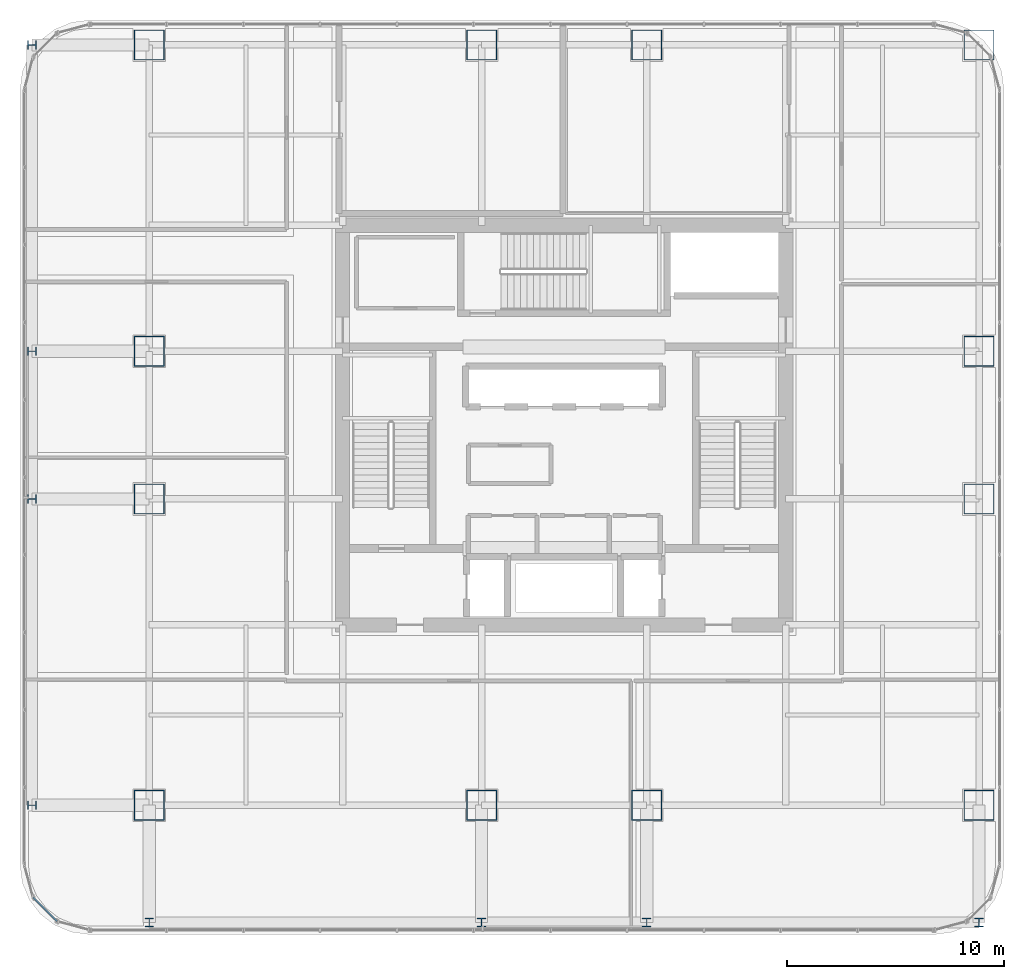
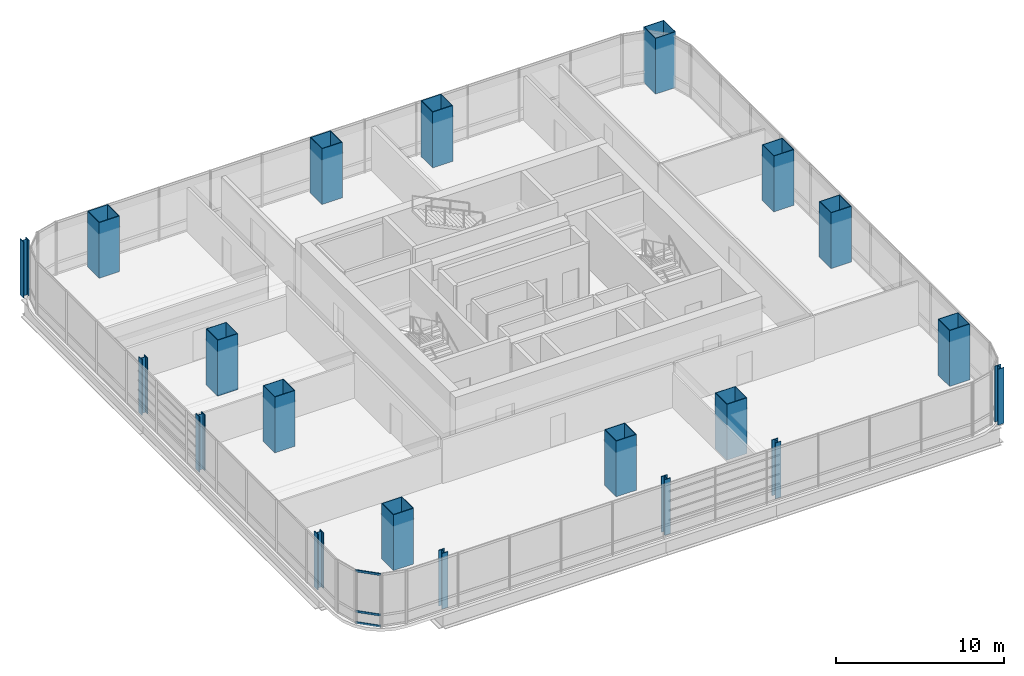
# One storey, part 1 of 36: 20 columns, 3 members, 1 element without a shape of its own.
"""IFC4 building model written with IfcOpenShell, lengths in metres."""

from ifc_helpers import new_model, si_unit, direction, frame, origin, origin_2d, place, context, subcontext, project, spatial, hollow_rectangle, i_section, extrude, material, material_profile, profile_set, type_object, element, aggregate, save


model = new_model("IFC4")

# Units and contexts
model_context = context("Model", 3, precision=1e-05, world=origin(), true_north=direction((0.0, 1.0)))
body_context = subcontext(model_context, "Body", "Model", "MODEL_VIEW")
ifc_project = project(units=[si_unit("LENGTHUNIT", "METRE"), si_unit("AREAUNIT", "SQUARE_METRE"), si_unit("VOLUMEUNIT", "CUBIC_METRE"), si_unit("PLANEANGLEUNIT", "RADIAN"), si_unit("MASSUNIT", "GRAM", prefix="KILO")], contexts=[model_context])

# Site, building, storey
site_placement = place(None, origin())
site = spatial("IfcSite", under=ifc_project, at=site_placement, CompositionType="ELEMENT")
building_placement = place(site_placement, origin())
building = spatial("IfcBuilding", under=site, at=building_placement, Name="Punatoya Terracotta Tower", CompositionType="ELEMENT")
storey_placement = place(building_placement, frame((0.0, 0.0, 180.300048828125)))
storey = spatial("IfcBuildingStorey", under=building, at=storey_placement, Name="L42", CompositionType="ELEMENT", Elevation=180.300048828125)

# Columns
ifc_material_1 = material(Name="Steel S460", Category="steel")
ifc_material_profile_1 = material_profile(ifc_material_1, i_section(OverallWidth=0.408935546875, OverallDepth=0.425048828125, WebThickness=0.031982421875, FlangeThickness=0.052001953125, FilletRadius=0.01806640625, at=origin_2d()))
ifc_profile_set_1 = profile_set([ifc_material_profile_1], Name="Steel S460")
column_type_1 = type_object("IfcColumnType", Name="COL-EX-M2", PredefinedType="COLUMN", material=ifc_profile_set_1)
for number, where, z_axis, x_axis, name in (
    (1, (-19.10009765625, -22.89990234375, 0.0), (0.0, 0.0, 1.0), (1.0, 0.0, 0.0), "L42 Exoskeleton Perimeter Column S1"),
    (2, (-3.800048828125, -22.89990234375, 0.0), (0.0, 0.0, 1.0), (1.0, 0.0, 0.0), "L42 Exoskeleton Perimeter Column S2"),
    (3, (3.800048828125, -22.89990234375, 0.0), (0.0, 0.0, 1.0), (1.0, 0.0, 0.0), "L42 Exoskeleton Perimeter Column S3"),
    (4, (19.10009765625, -22.89990234375, 0.0), (0.0, 0.0, 1.0), (1.0, 0.0, 0.0), "L42 Exoskeleton Perimeter Column S4"),
    (5, (-24.5, -17.5, 0.0), (0.0, 0.0, 1.0), (0.0, 1.0, 0.0), "L42 Exoskeleton Perimeter Column W1"),
    (6, (-24.5, -3.39990234375, 0.0), (0.0, 0.0, 1.0), (0.0, 1.0, 0.0), "L42 Exoskeleton Perimeter Column W2"),
    (7, (-24.5, 3.39990234375, 0.0), (0.0, 0.0, 1.0), (0.0, 1.0, 0.0), "L42 Exoskeleton Perimeter Column W3"),
    (8, (-24.5, 17.5, 0.0), (0.0, 0.0, 1.0), (0.0, 1.0, 0.0), "L42 Exoskeleton Perimeter Column W4"),
):
    element("IfcColumn", number, at=place(storey_placement, frame(where, z_axis=z_axis, x_axis=x_axis)), inside=storey, type_object=column_type_1, Name=name, PredefinedType="COLUMN", context=body_context, shape_type="SweptSolid", body=[
        extrude(i_section(OverallWidth=0.408935546875, OverallDepth=0.425048828125, WebThickness=0.031982421875, FlangeThickness=0.052001953125, FilletRadius=0.01806640625, at=origin_2d()), origin(), (0.0, 0.0, 1.0), 4.0478515625),
    ])
ifc_material_profile_2 = material_profile(ifc_material_1, hollow_rectangle(XDim=1.39990234375, YDim=1.39990234375, WallThickness=0.0419921875, at=origin_2d()))
ifc_profile_set_2 = profile_set([ifc_material_profile_2], Name="Steel S460")
column_type_2 = type_object("IfcColumnType", Name="COL-MC-Z2", PredefinedType="COLUMN", material=ifc_profile_set_2)
for number, where, z_axis, x_axis, name in (
    (9, (-19.10009765625, -17.5, 0.0), (0.0, 0.0, 1.0), (1.0, 0.0, 0.0), "L42 Composite Mega-Column MC-01 (3-B)"),
    (10, (-3.800048828125, -17.5, 0.0), (0.0, 0.0, 1.0), (1.0, 0.0, 0.0), "L42 Composite Mega-Column MC-02 (5-B)"),
    (11, (3.800048828125, -17.5, 0.0), (0.0, 0.0, 1.0), (1.0, 0.0, 0.0), "L42 Composite Mega-Column MC-03 (7-B)"),
    (12, (19.10009765625, -17.5, 0.0), (0.0, 0.0, 1.0), (1.0, 0.0, 0.0), "L42 Composite Mega-Column MC-04 (9-B)"),
    (13, (19.10009765625, -3.39990234375, 0.0), (0.0, 0.0, 1.0), (1.0, 0.0, 0.0), "L42 Composite Mega-Column MC-05 (9-D)"),
    (14, (19.10009765625, 3.39990234375, 0.0), (0.0, 0.0, 1.0), (1.0, 0.0, 0.0), "L42 Composite Mega-Column MC-06 (9-E)"),
    (15, (19.10009765625, 17.5, 0.0), (0.0, 0.0, 1.0), (1.0, 0.0, 0.0), "L42 Composite Mega-Column MC-07 (9-G)"),
    (16, (3.800048828125, 17.5, 0.0), (0.0, 0.0, 1.0), (1.0, 0.0, 0.0), "L42 Composite Mega-Column MC-08 (7-G)"),
    (17, (-3.800048828125, 17.5, 0.0), (0.0, 0.0, 1.0), (1.0, 0.0, 0.0), "L42 Composite Mega-Column MC-09 (5-G)"),
    (18, (-19.10009765625, 17.5, 0.0), (0.0, 0.0, 1.0), (1.0, 0.0, 0.0), "L42 Composite Mega-Column MC-10 (3-G)"),
    (19, (-19.10009765625, 3.39990234375, 0.0), (0.0, 0.0, 1.0), (1.0, 0.0, 0.0), "L42 Composite Mega-Column MC-11 (3-E)"),
    (20, (-19.10009765625, -3.39990234375, 0.0), (0.0, 0.0, 1.0), (1.0, 0.0, 0.0), "L42 Composite Mega-Column MC-12 (3-D)"),
):
    element("IfcColumn", number, at=place(storey_placement, frame(where, z_axis=z_axis, x_axis=x_axis)), inside=storey, type_object=column_type_2, Name=name, PredefinedType="COLUMN", context=body_context, shape_type="SweptSolid", body=[
        extrude(hollow_rectangle(XDim=1.39990234375, YDim=1.39990234375, WallThickness=0.0419921875, at=origin_2d()), origin(), (0.0, 0.0, 1.0), 4.050048828125),
    ])

# Curtain wall, members
ifc_material_2 = material(Name="Aluminium 6063-T6 + Double Low-E Glass", Category="aluminium")
curtain_wall_type = type_object("IfcCurtainWallType", Name="CW-M2", PredefinedType="NOTDEFINED", material=ifc_material_2)
curtain_wall_placement = place(storey_placement, origin())
curtain_wall = element("IfcCurtainWall", 21, at=curtain_wall_placement, inside=storey, type_object=curtain_wall_type, Name="L42 Curtain Wall CW-L42-CRN15", PredefinedType="NOTDEFINED")
ifc_material_3 = material(Name="Aluminium 6063-T6", Category="aluminium")
ifc_material_profile_3 = material_profile(ifc_material_3, hollow_rectangle(XDim=0.068115234375, YDim=0.14990234375, WallThickness=0.00390625, at=origin_2d()))
ifc_profile_set_3 = profile_set([ifc_material_profile_3], Name="Aluminium 6063-T6")
member_type = type_object("IfcMemberType", Name="CW-TRN-TYP", PredefinedType="USERDEFINED", material=ifc_profile_set_3)
member_1_placement = place(storey_placement, frame((-24.446533203125, -21.7490234375, 0.0400390625), z_axis=(0.707028130747, -0.707185422879, 0.0), x_axis=(0.707185422879, 0.707028130747, 0.0)))
member_1 = element("IfcMember", 22, at=member_1_placement, type_object=member_type, Name="CW-L42-CRN15 Transom 1", ObjectType="TRANSOM", PredefinedType="USERDEFINED", context=body_context, shape_type="SweptSolid", body=[
    extrude(hollow_rectangle(XDim=0.068115234375, YDim=0.14990234375, WallThickness=0.00390625, at=origin_2d()), origin(), (0.0, 0.0, 1.0), 1.55224609375),
])
member_2_placement = place(storey_placement, frame((-24.446533203125, -21.7490234375, 0.849853515625), z_axis=(0.707028130747, -0.707185422879, 0.0), x_axis=(0.707185422879, 0.707028130747, 0.0)))
member_2 = element("IfcMember", 23, at=member_2_placement, type_object=member_type, Name="CW-L42-CRN15 Transom 2", ObjectType="TRANSOM", PredefinedType="USERDEFINED", context=body_context, shape_type="SweptSolid", body=[
    extrude(hollow_rectangle(XDim=0.068115234375, YDim=0.14990234375, WallThickness=0.00390625, at=origin_2d()), origin(), (0.0, 0.0, 1.0), 1.55224609375),
])
member_3_placement = place(storey_placement, frame((-24.446533203125, -21.7490234375, 3.7900390625), z_axis=(0.707028130747, -0.707185422879, 0.0), x_axis=(0.707185422879, 0.707028130747, 0.0)))
member_3 = element("IfcMember", 24, at=member_3_placement, type_object=member_type, Name="CW-L42-CRN15 Transom 3", ObjectType="TRANSOM", PredefinedType="USERDEFINED", context=body_context, shape_type="SweptSolid", body=[
    extrude(hollow_rectangle(XDim=0.068115234375, YDim=0.14990234375, WallThickness=0.00390625, at=origin_2d()), origin(), (0.0, 0.0, 1.0), 1.55224609375),
])
aggregate(curtain_wall, [member_1, member_2, member_3])

save(model, "model.ifc")
